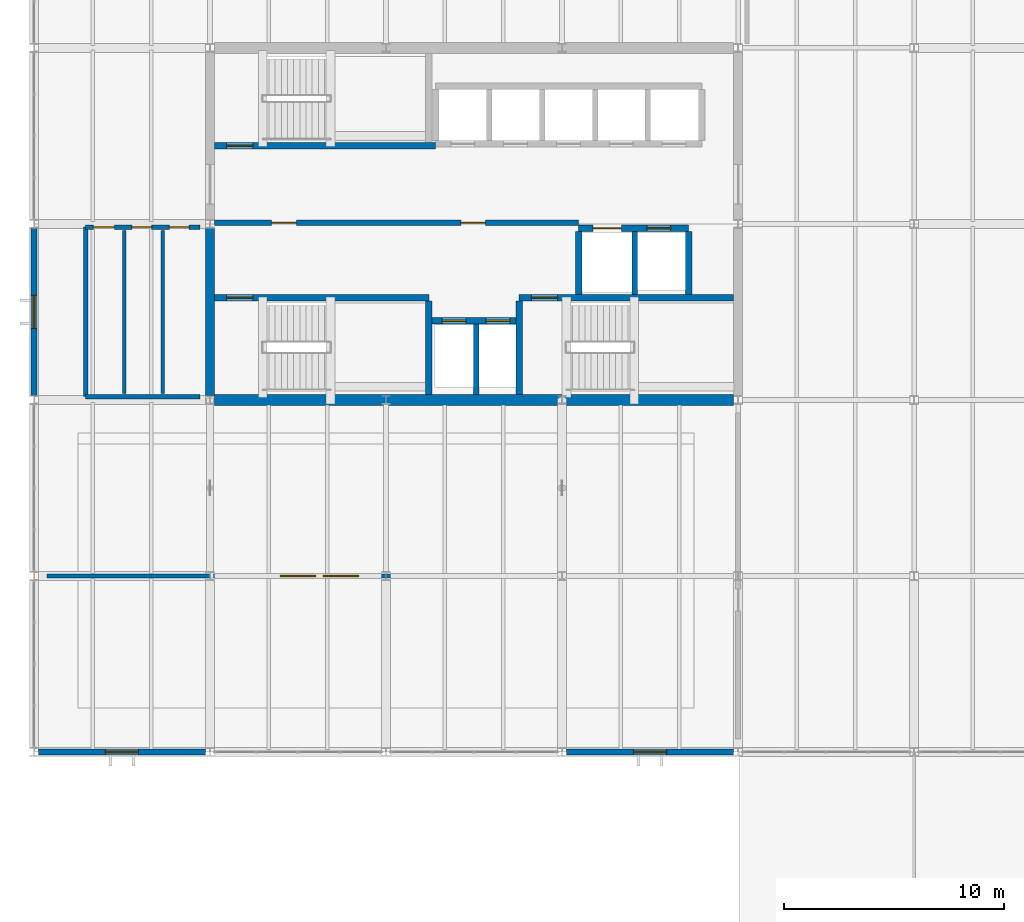
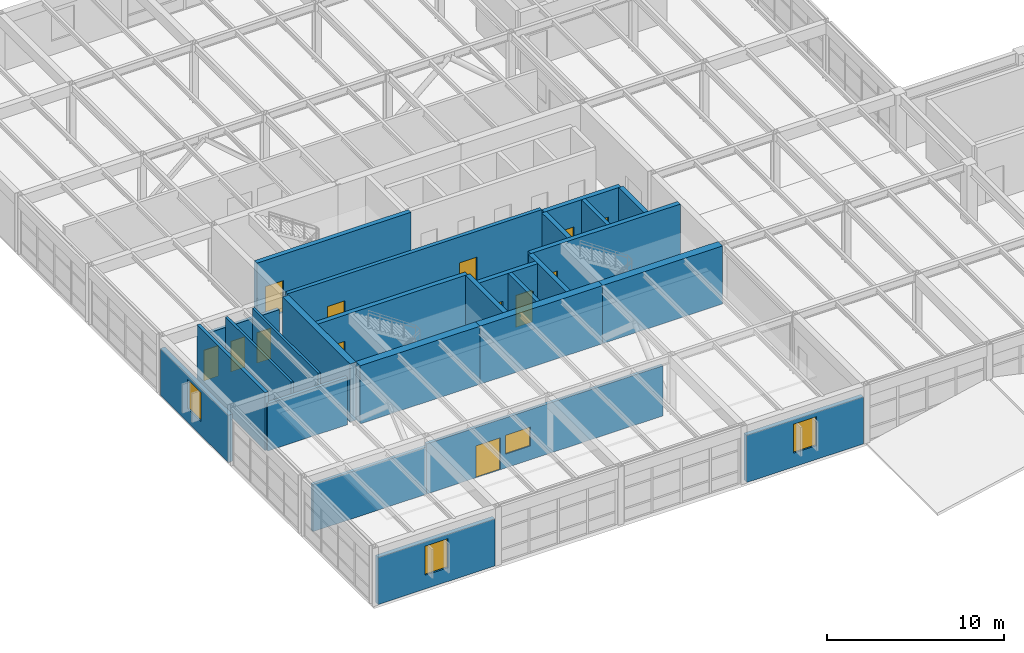
# One storey, part 37 of 48: 26 walls, 13 doors, 4 windows, 17 openings.
"""IFC4 building model written with IfcOpenShell, lengths in metres."""

from ifc_helpers import new_model, si_unit, direction, frame, frame_2d, origin, place, context, subcontext, project, spatial, rectangle, extrude, material, layer, layer_set, type_object, element, fill, save


model = new_model("IFC4")

# Units and contexts
model_context = context("Model", 3, precision=1e-05, world=origin(), true_north=direction((0.0, 1.0)))
body_context = subcontext(model_context, "Body", "Model", "MODEL_VIEW")
ifc_project = project(units=[si_unit("LENGTHUNIT", "METRE"), si_unit("AREAUNIT", "SQUARE_METRE"), si_unit("VOLUMEUNIT", "CUBIC_METRE"), si_unit("PLANEANGLEUNIT", "RADIAN"), si_unit("MASSUNIT", "GRAM", prefix="KILO")], contexts=[model_context])

# Site, building, storey
site_placement = place(None, origin())
site = spatial("IfcSite", under=ifc_project, at=site_placement, CompositionType="ELEMENT")
building_placement = place(site_placement, origin())
building = spatial("IfcBuilding", under=site, at=building_placement, Name="Varnela Railside Interchange", CompositionType="ELEMENT")
storey_placement = place(building_placement, frame((0.0, 0.0, 11.199951171875)))
storey = spatial("IfcBuildingStorey", under=building, at=storey_placement, Name="L02", CompositionType="ELEMENT", Elevation=11.199951171875)

# Walls
ifc_material_1 = material(Name="Gypsum acoustic board")
ifc_layer_1 = layer(ifc_material_1, 0.14990234375)
ifc_layer_set_1 = layer_set([ifc_layer_1], Name="Gypsum acoustic board")
wall_type_1 = type_object("IfcWallType", Name="Acoustic Drywall Partition IW-01", PredefinedType="PARTITIONING", material=ifc_layer_set_1)
for number, where, z_axis, x_axis, name in (
    (1, (8.10009765625, 54.300048828125, 0.0), (0.0, 0.0, 1.0), (0.0, 1.0, 0.0), "Acoustic Drywall Partition IW-01 (L02) (WL-0709)"),
    (2, (9.85009765625, 54.300048828125, 0.0), (0.0, 0.0, 1.0), (0.0, 1.0, 0.0), "Acoustic Drywall Partition IW-01 (L02) (WL-0710)"),
):
    element("IfcWall", number, at=place(storey_placement, frame(where, z_axis=z_axis, x_axis=x_axis)), inside=storey, type_object=wall_type_1, Name=name, PredefinedType="PARTITIONING", context=body_context, shape_type="SweptSolid", body=[
        extrude(rectangle(XDim=7.39990234375, YDim=0.14990234375, at=frame_2d((3.699951171875, 0.0))), origin(), (0.0, 0.0, 1.0), 4.0),
    ])
ifc_material_2 = material(Name="Concrete C50", Category="concrete")
ifc_layer_2 = layer(ifc_material_2, 0.39990234375)
ifc_layer_set_2 = layer_set([ifc_layer_2], Name="Concrete C50")
wall_type_2 = type_object("IfcWallType", Name="Core Coupling Shear Wall SW-02", PredefinedType="SHEAR", material=ifc_layer_set_2)
wall_1_placement = place(storey_placement, frame((12.0, 54.193603515625, 0.0), z_axis=(0.0, 0.0, 1.0), x_axis=(0.0, 1.0, 0.0)))
element("IfcWall", 3, at=wall_1_placement, inside=storey, type_object=wall_type_2, Name="Core Coupling Shear Wall SW-02 (L02) (WL-0654)", PredefinedType="SHEAR", context=body_context, shape_type="SweptSolid", body=[
    extrude(rectangle(XDim=7.61279296875, YDim=0.39990234375, at=frame_2d((3.806396484375, 0.0))), origin(), (0.0, 0.0, 1.0), 4.0),
])
ifc_layer_3 = layer(ifc_material_2, 0.5)
ifc_layer_set_3 = layer_set([ifc_layer_3], Name="Concrete C50")
wall_type_3 = type_object("IfcWallType", Name="Core Primary Shear Wall SW-01", PredefinedType="SHEAR", material=ifc_layer_set_3)
wall_2_placement = place(storey_placement, frame((12.198974609375, 54.0, 0.0), z_axis=(0.0, 0.0, 1.0), x_axis=(1.0, 0.0, 0.0)))
element("IfcWall", 4, at=wall_2_placement, inside=storey, type_object=wall_type_3, Name="Core Primary Shear Wall SW-01 (L02) (WL-0645)", PredefinedType="SHEAR", context=body_context, shape_type="SweptSolid", body=[
    extrude(rectangle(XDim=7.801025390625, YDim=0.5, at=frame_2d((3.900390625, 0.0))), origin(), (0.0, 0.0, 1.0), 4.0),
])
wall_3_placement = place(storey_placement, frame((20.0, 54.0, 0.0), z_axis=(0.0, 0.0, 1.0), x_axis=(1.0, 0.0, 0.0)))
element("IfcWall", 5, at=wall_3_placement, inside=storey, type_object=wall_type_3, Name="Core Primary Shear Wall SW-01 (L02) (WL-0646)", PredefinedType="SHEAR", context=body_context, shape_type="SweptSolid", body=[
    extrude(rectangle(XDim=8.0, YDim=0.5, at=frame_2d((4.0, 0.0))), origin(), (0.0, 0.0, 1.0), 4.0),
])
wall_4_placement = place(storey_placement, frame((28.0, 54.0, 0.0), z_axis=(0.0, 0.0, 1.0), x_axis=(1.0, 0.0, 0.0)))
element("IfcWall", 6, at=wall_4_placement, inside=storey, type_object=wall_type_3, Name="Core Primary Shear Wall SW-01 (L02) (WL-0647)", PredefinedType="SHEAR", context=body_context, shape_type="SweptSolid", body=[
    extrude(rectangle(XDim=7.801025390625, YDim=0.5, at=frame_2d((3.900390625, 0.0))), origin(), (0.0, 0.0, 1.0), 4.0),
])
ifc_layer_4 = layer(ifc_material_1, 0.179931640625)
ifc_layer_set_4 = layer_set([ifc_layer_4], Name="Gypsum acoustic board")
wall_type_4 = type_object("IfcWallType", Name="Double-Stud Corridor Wall IW-02", PredefinedType="PARTITIONING", material=ifc_layer_set_4)
wall_5_placement = place(storey_placement, frame((4.60009765625, 46.0, 0.0), z_axis=(0.0, 0.0, 1.0), x_axis=(1.0, 0.0, 0.0)))
element("IfcWall", 7, at=wall_5_placement, inside=storey, type_object=wall_type_4, Name="Double-Stud Corridor Wall IW-02 (L02) (WL-0696)", PredefinedType="PARTITIONING", context=body_context, shape_type="SweptSolid", body=[
    extrude(rectangle(XDim=7.39990234375, YDim=0.199951171875, at=frame_2d((3.699951171875, 0.0))), origin(), (0.0, 0.0, 1.0), 3.25),
])

# Wall, openings, door, window
wall_6_placement = place(storey_placement, frame((12.0, 46.0, 0.0), z_axis=(0.0, 0.0, 1.0), x_axis=(1.0, 0.0, 0.0)))
wall_6 = element("IfcWall", 8, at=wall_6_placement, inside=storey, type_object=wall_type_4, Name="Double-Stud Corridor Wall IW-02 (L02) (WL-0697)", PredefinedType="PARTITIONING", context=body_context, shape_type="SweptSolid", body=[
    extrude(rectangle(XDim=15.39990234375, YDim=0.199951171875, at=frame_2d((7.699951171875, 0.0))), origin(), (0.0, 0.0, 1.0), 3.4560546875),
])
opening_1_placement = place(wall_6_placement, frame((3.199951171875, 0.0, 0.0)))
opening_1 = element("IfcOpeningElement", 9, at=opening_1_placement, cuts=wall_6, Name="Opening D-232", PredefinedType="OPENING", context=body_context, shape_type="SweptSolid", body=[
    extrude(rectangle(XDim=1.60009765625, YDim=2.199951171875, at=frame_2d((0.800048828125, 1.10009765625))), frame((0.0, 0.10986328125, 0.0), z_axis=(0.0, -1.0, 0.0), x_axis=(1.0, 0.0, 0.0)), (0.0, 0.0, 1.0), 0.219970703125),
])
opening_2_placement = place(wall_6_placement, frame((5.14990234375, 0.0, 0.949951171875)))
opening_2 = element("IfcOpeningElement", 10, at=opening_2_placement, cuts=wall_6, Name="Opening IW-012", PredefinedType="OPENING", context=body_context, shape_type="SweptSolid", body=[
    extrude(rectangle(XDim=1.60009765625, YDim=1.300048828125, at=frame_2d((0.800048828125, 0.64990234375))), frame((0.0, 0.10986328125, 0.0), z_axis=(0.0, -1.0, 0.0), x_axis=(1.0, 0.0, 0.0)), (0.0, 0.0, 1.0), 0.219970703125),
])
ifc_material_3 = material(Name="Glass laminated double", Category="glass")
door_type_1 = type_object("IfcDoorType", Name="DR-DBL-1600", OperationType="DOUBLE_DOOR_SINGLE_SWING", PredefinedType="DOOR", material=ifc_material_3)
door_1_placement = place(opening_1_placement, origin())
door_1 = element("IfcDoor", 11, at=door_1_placement, inside=storey, type_object=door_type_1, Name="Door D-232", OperationType="DOUBLE_DOOR_SINGLE_SWING", OverallHeight=2.199951171875, OverallWidth=1.60009765625, PredefinedType="DOOR", context=body_context, shape_type="SweptSolid", body=[
    extrude(rectangle(XDim=1.60009765625, YDim=2.199951171875, at=frame_2d((0.800048828125, 1.10009765625))), frame((0.0, 0.02490234375, 0.0), z_axis=(0.0, -1.0, 0.0), x_axis=(1.0, 0.0, 0.0)), (0.0, 0.0, 1.0), 0.050048828125),
])
fill(opening_1, door_1)
window_type_1 = type_object("IfcWindowType", Name="Interior Acoustic Vision Window IW-WN1", PartitioningType="SINGLE_PANEL", PredefinedType="WINDOW", material=ifc_material_3)
window_1_placement = place(opening_2_placement, origin())
window_1 = element("IfcWindow", 12, at=window_1_placement, inside=storey, type_object=window_type_1, Name="Window IW-012", OverallHeight=1.300048828125, OverallWidth=1.60009765625, PartitioningType="SINGLE_PANEL", PredefinedType="WINDOW", context=body_context, shape_type="SweptSolid", body=[
    extrude(rectangle(XDim=1.60009765625, YDim=1.300048828125, at=frame_2d((0.800048828125, 0.64990234375))), frame((0.0, 0.030029296875, 0.0), z_axis=(0.0, -1.0, 0.0), x_axis=(1.0, 0.0, 0.0)), (0.0, 0.0, 1.0), 0.06005859375),
])
fill(opening_2, window_1)

# Wall, opening, window
ifc_material_4 = material(Name="Concrete C40 precast", Category="concrete")
ifc_layer_5 = layer(ifc_material_4, 0.280029296875)
ifc_layer_set_5 = layer_set([ifc_layer_5], Name="Concrete C40 precast")
wall_type_5 = type_object("IfcWallType", Name="Ribbed Precast Concrete Facade Wall EW-02", PredefinedType="STANDARD", material=ifc_layer_set_5)
wall_7_placement = place(storey_placement, frame((35.802978515625, 38.0, 0.0), z_axis=(0.0, 0.0, 1.0), x_axis=(-1.0, 0.0, 0.0)))
wall_7 = element("IfcWall", 13, at=wall_7_placement, inside=storey, type_object=wall_type_5, Name="Ribbed Precast Concrete Facade Wall EW-02 (L02) (WL-0689)", PredefinedType="STANDARD", context=body_context, shape_type="SweptSolid", body=[
    extrude(rectangle(XDim=7.60595703125, YDim=0.280029296875, at=frame_2d((3.802978515625, 0.0))), origin(), (0.0, 0.0, 1.0), 3.25),
])
opening_3_placement = place(wall_7_placement, frame((3.052978515625, 0.0, 0.949951171875)))
opening_3 = element("IfcOpeningElement", 14, at=opening_3_placement, cuts=wall_7, Name="Opening W-095", PredefinedType="OPENING", context=body_context, shape_type="SweptSolid", body=[
    extrude(rectangle(XDim=1.5, YDim=2.0, at=frame_2d((0.75, 1.0))), frame((0.0, 0.14990234375, 0.0), z_axis=(0.0, -1.0, 0.0), x_axis=(1.0, 0.0, 0.0)), (0.0, 0.0, 1.0), 0.300048828125),
])
window_type_2 = type_object("IfcWindowType", Name="Operations Modular Window WN-04", PartitioningType="SINGLE_PANEL", PredefinedType="WINDOW", material=ifc_material_3)
window_2_placement = place(opening_3_placement, origin())
window_2 = element("IfcWindow", 15, at=window_2_placement, inside=storey, type_object=window_type_2, Name="Window W-095", OverallHeight=2.0, OverallWidth=1.5, PartitioningType="SINGLE_PANEL", PredefinedType="WINDOW", context=body_context, shape_type="SweptSolid", body=[
    extrude(rectangle(XDim=1.5, YDim=2.0, at=frame_2d((0.75, 1.0))), frame((0.0, 0.030029296875, 0.0), z_axis=(0.0, -1.0, 0.0), x_axis=(1.0, 0.0, 0.0)), (0.0, 0.0, 1.0), 0.06005859375),
])
fill(opening_3, window_2)

wall_8_placement = place(storey_placement, frame((11.802978515625, 38.0, 0.0), z_axis=(0.0, 0.0, 1.0), x_axis=(-1.0, 0.0, 0.0)))
wall_8 = element("IfcWall", 16, at=wall_8_placement, inside=storey, type_object=wall_type_5, Name="Ribbed Precast Concrete Facade Wall EW-02 (L02) (WL-0690)", PredefinedType="STANDARD", context=body_context, shape_type="SweptSolid", body=[
    extrude(rectangle(XDim=7.60595703125, YDim=0.280029296875, at=frame_2d((3.802978515625, 0.0))), origin(), (0.0, 0.0, 1.0), 3.25),
])
opening_4_placement = place(wall_8_placement, frame((3.052978515625, 0.0, 0.949951171875)))
opening_4 = element("IfcOpeningElement", 17, at=opening_4_placement, cuts=wall_8, Name="Opening W-096", PredefinedType="OPENING", context=body_context, shape_type="SweptSolid", body=[
    extrude(rectangle(XDim=1.5, YDim=2.0, at=frame_2d((0.75, 1.0))), frame((0.0, 0.14990234375, 0.0), z_axis=(0.0, -1.0, 0.0), x_axis=(1.0, 0.0, 0.0)), (0.0, 0.0, 1.0), 0.300048828125),
])
window_3_placement = place(opening_4_placement, origin())
window_3 = element("IfcWindow", 18, at=window_3_placement, inside=storey, type_object=window_type_2, Name="Window W-096", OverallHeight=2.0, OverallWidth=1.5, PartitioningType="SINGLE_PANEL", PredefinedType="WINDOW", context=body_context, shape_type="SweptSolid", body=[
    extrude(rectangle(XDim=1.5, YDim=2.0, at=frame_2d((0.75, 1.0))), frame((0.0, 0.030029296875, 0.0), z_axis=(0.0, -1.0, 0.0), x_axis=(1.0, 0.0, 0.0)), (0.0, 0.0, 1.0), 0.06005859375),
])
fill(opening_4, window_3)

wall_9_placement = place(storey_placement, frame((4.0, 54.1875, 0.0), z_axis=(0.0, 0.0, 1.0), x_axis=(0.0, 1.0, 0.0)))
wall_9 = element("IfcWall", 19, at=wall_9_placement, inside=storey, type_object=wall_type_5, Name="Ribbed Precast Concrete Facade Wall EW-02 (L02) (WL-0691)", PredefinedType="STANDARD", context=body_context, shape_type="SweptSolid", body=[
    extrude(rectangle(XDim=7.625, YDim=0.280029296875, at=frame_2d((3.8125, 0.0))), origin(), (0.0, 0.0, 1.0), 3.25),
])
opening_5_placement = place(wall_9_placement, frame((3.0625, 0.0, 0.949951171875)))
opening_5 = element("IfcOpeningElement", 20, at=opening_5_placement, cuts=wall_9, Name="Opening W-097", PredefinedType="OPENING", context=body_context, shape_type="SweptSolid", body=[
    extrude(rectangle(XDim=1.5, YDim=2.0, at=frame_2d((0.75, 1.0))), frame((0.0, 0.14990234375, 0.0), z_axis=(0.0, -1.0, 0.0), x_axis=(1.0, 0.0, 0.0)), (0.0, 0.0, 1.0), 0.300048828125),
])
window_4_placement = place(opening_5_placement, origin())
window_4 = element("IfcWindow", 21, at=window_4_placement, inside=storey, type_object=window_type_2, Name="Window W-097", OverallHeight=2.0, OverallWidth=1.5, PartitioningType="SINGLE_PANEL", PredefinedType="WINDOW", context=body_context, shape_type="SweptSolid", body=[
    extrude(rectangle(XDim=1.5, YDim=2.0, at=frame_2d((0.75, 1.0))), frame((0.0, 0.030029296875, 0.0), z_axis=(0.0, -1.0, 0.0), x_axis=(1.0, 0.0, 0.0)), (0.0, 0.0, 1.0), 0.06005859375),
])
fill(opening_5, window_4)

# Wall, openings, doors
ifc_material_5 = material(Name="Masonry concrete block", Category="masonry")
ifc_layer_6 = layer(ifc_material_5, 0.2099609375)
ifc_layer_set_6 = layer_set([ifc_layer_6], Name="Masonry concrete block")
wall_type_6 = type_object("IfcWallType", Name="Sanitary Plumbing Chase Wall IW-04", PredefinedType="PLUMBINGWALL", material=ifc_layer_set_6)
wall_10_placement = place(storey_placement, frame((6.35009765625, 61.85009765625, 0.0), z_axis=(0.0, 0.0, 1.0), x_axis=(1.0, 0.0, 0.0)))
wall_10 = element("IfcWall", 22, at=wall_10_placement, inside=storey, type_object=wall_type_6, Name="Sanitary Plumbing Chase Wall IW-04 (L02) (WL-0711)", PredefinedType="PLUMBINGWALL", context=body_context, shape_type="SweptSolid", body=[
    extrude(rectangle(XDim=5.199951171875, YDim=0.2099609375, at=frame_2d((2.60009765625, 0.0))), origin(), (0.0, 0.0, 1.0), 3.25),
])
opening_6_placement = place(wall_10_placement, frame((0.35009765625, 0.0, 0.0)))
opening_6 = element("IfcOpeningElement", 23, at=opening_6_placement, cuts=wall_10, Name="Opening D-224", PredefinedType="OPENING", context=body_context, shape_type="SweptSolid", body=[
    extrude(rectangle(XDim=0.949951171875, YDim=2.10009765625, at=frame_2d((0.47509765625, 1.050048828125))), frame((0.0, 0.114990234375, 0.0), z_axis=(0.0, -1.0, 0.0), x_axis=(1.0, 0.0, 0.0)), (0.0, 0.0, 1.0), 0.22998046875),
])
opening_7_placement = place(wall_10_placement, frame((2.10009765625, 0.0, 0.0)))
opening_7 = element("IfcOpeningElement", 24, at=opening_7_placement, cuts=wall_10, Name="Opening D-225", PredefinedType="OPENING", context=body_context, shape_type="SweptSolid", body=[
    extrude(rectangle(XDim=0.89990234375, YDim=2.10009765625, at=frame_2d((0.449951171875, 1.050048828125))), frame((0.0, 0.114990234375, 0.0), z_axis=(0.0, -1.0, 0.0), x_axis=(1.0, 0.0, 0.0)), (0.0, 0.0, 1.0), 0.22998046875),
])
opening_8_placement = place(wall_10_placement, frame((3.800048828125, 0.0, 0.0)))
opening_8 = element("IfcOpeningElement", 25, at=opening_8_placement, cuts=wall_10, Name="Opening D-226", PredefinedType="OPENING", context=body_context, shape_type="SweptSolid", body=[
    extrude(rectangle(XDim=0.89990234375, YDim=2.10009765625, at=frame_2d((0.449951171875, 1.050048828125))), frame((0.0, 0.114990234375, 0.0), z_axis=(0.0, -1.0, 0.0), x_axis=(1.0, 0.0, 0.0)), (0.0, 0.0, 1.0), 0.22998046875),
])
ifc_material_6 = material(Name="Timber solid core", Category="wood")
door_type_2 = type_object("IfcDoorType", Name="DR-SGL-900", OperationType="NOTDEFINED", PredefinedType="DOOR", material=ifc_material_6)
door_2_placement = place(opening_7_placement, origin())
door_2 = element("IfcDoor", 26, at=door_2_placement, inside=storey, type_object=door_type_2, Name="Door D-225", OperationType="SINGLE_SWING_RIGHT", OverallHeight=2.10009765625, OverallWidth=0.89990234375, PredefinedType="DOOR", context=body_context, shape_type="SweptSolid", body=[
    extrude(rectangle(XDim=0.89990234375, YDim=2.10009765625, at=frame_2d((0.449951171875, 1.050048828125))), frame((0.0, 0.02490234375, 0.0), z_axis=(0.0, -1.0, 0.0), x_axis=(1.0, 0.0, 0.0)), (0.0, 0.0, 1.0), 0.050048828125),
])
fill(opening_7, door_2)
door_3_placement = place(opening_8_placement, origin())
door_3 = element("IfcDoor", 27, at=door_3_placement, inside=storey, type_object=door_type_2, Name="Door D-226", OperationType="SINGLE_SWING_LEFT", OverallHeight=2.10009765625, OverallWidth=0.89990234375, PredefinedType="DOOR", context=body_context, shape_type="SweptSolid", body=[
    extrude(rectangle(XDim=0.89990234375, YDim=2.10009765625, at=frame_2d((0.449951171875, 1.050048828125))), frame((0.0, 0.02490234375, 0.0), z_axis=(0.0, -1.0, 0.0), x_axis=(1.0, 0.0, 0.0)), (0.0, 0.0, 1.0), 0.050048828125),
])
fill(opening_8, door_3)
door_type_3 = type_object("IfcDoorType", Name="DR-SGL-950-ACC", OperationType="NOTDEFINED", PredefinedType="DOOR", material=ifc_material_6)
door_4_placement = place(opening_6_placement, origin())
door_4 = element("IfcDoor", 28, at=door_4_placement, inside=storey, type_object=door_type_3, Name="Door D-224", OperationType="SINGLE_SWING_LEFT", OverallHeight=2.10009765625, OverallWidth=0.949951171875, PredefinedType="DOOR", context=body_context, shape_type="SweptSolid", body=[
    extrude(rectangle(XDim=0.949951171875, YDim=2.10009765625, at=frame_2d((0.47509765625, 1.050048828125))), frame((0.0, 0.02490234375, 0.0), z_axis=(0.0, -1.0, 0.0), x_axis=(1.0, 0.0, 0.0)), (0.0, 0.0, 1.0), 0.050048828125),
])
fill(opening_6, door_4)

# Walls
wall_11_placement = place(storey_placement, frame((6.35009765625, 54.14990234375, 0.0), z_axis=(0.0, 0.0, 1.0), x_axis=(1.0, 0.0, 0.0)))
element("IfcWall", 29, at=wall_11_placement, inside=storey, type_object=wall_type_6, Name="Sanitary Plumbing Chase Wall IW-04 (L02) (WL-0712)", PredefinedType="PLUMBINGWALL", context=body_context, shape_type="SweptSolid", body=[
    extrude(rectangle(XDim=5.199951171875, YDim=0.2099609375, at=frame_2d((2.60009765625, 0.0))), origin(), (0.0, 0.0, 1.0), 3.25),
])
wall_12_placement = place(storey_placement, frame((6.35009765625, 54.14990234375, 0.0), z_axis=(0.0, 0.0, 1.0), x_axis=(0.0, 1.0, 0.0)))
element("IfcWall", 30, at=wall_12_placement, inside=storey, type_object=wall_type_6, Name="Sanitary Plumbing Chase Wall IW-04 (L02) (WL-0713)", PredefinedType="PLUMBINGWALL", context=body_context, shape_type="SweptSolid", body=[
    extrude(rectangle(XDim=7.7001953125, YDim=0.2099609375, at=frame_2d((3.85009765625, 0.0))), origin(), (0.0, 0.0, 1.0), 4.0),
])

# Wall, opening, door
ifc_layer_7 = layer(ifc_material_2, 0.300048828125)
ifc_layer_set_7 = layer_set([ifc_layer_7], Name="Concrete C50")
wall_type_7 = type_object("IfcWallType", Name="Stair & Lift Shaft Wall SW-03", PredefinedType="SHEAR", material=ifc_layer_set_7)
wall_13_placement = place(storey_placement, frame((12.199951171875, 58.64990234375, 0.0), z_axis=(0.0, 0.0, 1.0), x_axis=(1.0, 0.0, 0.0)))
wall_13 = element("IfcWall", 31, at=wall_13_placement, inside=storey, type_object=wall_type_7, Name="Stair & Lift Shaft Wall SW-03 (L02) (WL-0649)", PredefinedType="SHEAR", context=body_context, shape_type="SweptSolid", body=[
    extrude(rectangle(XDim=9.75, YDim=0.300048828125, at=frame_2d((4.875, 0.0))), origin(), (0.0, 0.0, 1.0), 4.0),
])
opening_9_placement = place(wall_13_placement, frame((0.550048828125, 0.0, 0.0)))
opening_9 = element("IfcOpeningElement", 32, at=opening_9_placement, cuts=wall_13, Name="Opening D-209", PredefinedType="OPENING", context=body_context, shape_type="SweptSolid", body=[
    extrude(rectangle(XDim=1.199951171875, YDim=2.199951171875, at=frame_2d((0.60009765625, 1.10009765625))), frame((0.0, 0.159912109375, 0.0), z_axis=(0.0, -1.0, 0.0), x_axis=(1.0, 0.0, 0.0)), (0.0, 0.0, 1.0), 0.320068359375),
])
ifc_material_7 = material(Name="Steel AR 350 (350 MPa)", Category="steel")
door_type_4 = type_object("IfcDoorType", Name="DR-SGL-1200-FD90", OperationType="NOTDEFINED", PredefinedType="DOOR", material=ifc_material_7)
door_5_placement = place(opening_9_placement, frame((1.199951171875, 0.0, 0.0), z_axis=(0.0, 0.0, 1.0), x_axis=(-1.0, 0.0, 0.0)))
door_5 = element("IfcDoor", 33, at=door_5_placement, inside=storey, type_object=door_type_4, Name="Door D-209", OperationType="SINGLE_SWING_RIGHT", OverallHeight=2.199951171875, OverallWidth=1.199951171875, PredefinedType="DOOR", context=body_context, shape_type="SweptSolid", body=[
    extrude(rectangle(XDim=1.199951171875, YDim=2.199951171875, at=frame_2d((0.60009765625, 1.10009765625))), frame((0.0, 0.02490234375, 0.0), z_axis=(0.0, -1.0, 0.0), x_axis=(1.0, 0.0, 0.0)), (0.0, 0.0, 1.0), 0.050048828125),
])
fill(opening_9, door_5)

# Wall
wall_14_placement = place(storey_placement, frame((21.949951171875, 54.25, 0.0), z_axis=(0.0, 0.0, 1.0), x_axis=(0.0, 1.0, 0.0)))
element("IfcWall", 34, at=wall_14_placement, inside=storey, type_object=wall_type_7, Name="Stair & Lift Shaft Wall SW-03 (L02) (WL-0648)", PredefinedType="SHEAR", context=body_context, shape_type="SweptSolid", body=[
    extrude(rectangle(XDim=4.25, YDim=0.300048828125, at=frame_2d((2.125, 0.0))), origin(), (0.0, 0.0, 1.0), 4.0),
])

# Wall, opening, door
wall_15_placement = place(storey_placement, frame((26.050048828125, 58.64990234375, 0.0), z_axis=(0.0, 0.0, 1.0), x_axis=(1.0, 0.0, 0.0)))
wall_15 = element("IfcWall", 35, at=wall_15_placement, inside=storey, type_object=wall_type_7, Name="Stair & Lift Shaft Wall SW-03 (L02) (WL-0650)", PredefinedType="SHEAR", context=body_context, shape_type="SweptSolid", body=[
    extrude(rectangle(XDim=9.75, YDim=0.300048828125, at=frame_2d((4.875, 0.0))), origin(), (0.0, 0.0, 1.0), 4.0),
])
opening_10_placement = place(wall_15_placement, frame((0.550048828125, 0.0, 0.0)))
opening_10 = element("IfcOpeningElement", 36, at=opening_10_placement, cuts=wall_15, Name="Opening D-210", PredefinedType="OPENING", context=body_context, shape_type="SweptSolid", body=[
    extrude(rectangle(XDim=1.199951171875, YDim=2.199951171875, at=frame_2d((0.60009765625, 1.10009765625))), frame((0.0, 0.159912109375, 0.0), z_axis=(0.0, -1.0, 0.0), x_axis=(1.0, 0.0, 0.0)), (0.0, 0.0, 1.0), 0.320068359375),
])
door_6_placement = place(opening_10_placement, frame((1.199951171875, 0.0, 0.0), z_axis=(0.0, 0.0, 1.0), x_axis=(-1.0, 0.0, 0.0)))
door_6 = element("IfcDoor", 37, at=door_6_placement, inside=storey, type_object=door_type_4, Name="Door D-210", OperationType="SINGLE_SWING_LEFT", OverallHeight=2.199951171875, OverallWidth=1.199951171875, PredefinedType="DOOR", context=body_context, shape_type="SweptSolid", body=[
    extrude(rectangle(XDim=1.199951171875, YDim=2.199951171875, at=frame_2d((0.60009765625, 1.10009765625))), frame((0.0, 0.02490234375, 0.0), z_axis=(0.0, -1.0, 0.0), x_axis=(1.0, 0.0, 0.0)), (0.0, 0.0, 1.0), 0.050048828125),
])
fill(opening_10, door_6)

# Wall
wall_16_placement = place(storey_placement, frame((26.050048828125, 54.25, 0.0), z_axis=(0.0, 0.0, 1.0), x_axis=(0.0, 1.0, 0.0)))
element("IfcWall", 38, at=wall_16_placement, inside=storey, type_object=wall_type_7, Name="Stair & Lift Shaft Wall SW-03 (L02) (WL-0651)", PredefinedType="SHEAR", context=body_context, shape_type="SweptSolid", body=[
    extrude(rectangle(XDim=4.25, YDim=0.300048828125, at=frame_2d((2.125, 0.0))), origin(), (0.0, 0.0, 1.0), 4.0),
])

# Wall, openings, doors
wall_17_placement = place(storey_placement, frame((22.10009765625, 57.60009765625, 0.0), z_axis=(0.0, 0.0, 1.0), x_axis=(1.0, 0.0, 0.0)))
wall_17 = element("IfcWall", 39, at=wall_17_placement, inside=storey, type_object=wall_type_7, Name="Stair & Lift Shaft Wall SW-03 (L02) (WL-0629)", PredefinedType="SHEAR", context=body_context, shape_type="SweptSolid", body=[
    extrude(rectangle(XDim=3.949951171875, YDim=0.300048828125, at=frame_2d((1.97509765625, 0.0))), origin(), (0.0, 0.0, 1.0), 4.0),
])
opening_11_placement = place(wall_17_placement, frame((0.449951171875, 0.0, 0.0)))
opening_11 = element("IfcOpeningElement", 40, at=opening_11_placement, cuts=wall_17, Name="Opening LD-043", PredefinedType="OPENING", context=body_context, shape_type="SweptSolid", body=[
    extrude(rectangle(XDim=1.080078125, YDim=2.199951171875, at=frame_2d((0.5400390625, 1.10009765625))), frame((0.0, 0.159912109375, 0.0), z_axis=(0.0, -1.0, 0.0), x_axis=(1.0, 0.0, 0.0)), (0.0, 0.0, 1.0), 0.320068359375),
])
opening_12_placement = place(wall_17_placement, frame((2.449951171875, 0.0, 0.0)))
opening_12 = element("IfcOpeningElement", 41, at=opening_12_placement, cuts=wall_17, Name="Opening LD-044", PredefinedType="OPENING", context=body_context, shape_type="SweptSolid", body=[
    extrude(rectangle(XDim=1.080078125, YDim=2.199951171875, at=frame_2d((0.5400390625, 1.10009765625))), frame((0.0, 0.159912109375, 0.0), z_axis=(0.0, -1.0, 0.0), x_axis=(1.0, 0.0, 0.0)), (0.0, 0.0, 1.0), 0.320068359375),
])
door_type_5 = type_object("IfcDoorType", Name="DR-LIFT-1080", OperationType="SLIDING_TO_LEFT", PredefinedType="DOOR", material=ifc_material_7)
door_7_placement = place(opening_11_placement, origin())
door_7 = element("IfcDoor", 42, at=door_7_placement, inside=storey, type_object=door_type_5, Name="Door LD-043", OperationType="SLIDING_TO_LEFT", OverallHeight=2.199951171875, OverallWidth=1.080078125, PredefinedType="DOOR", context=body_context, shape_type="SweptSolid", body=[
    extrude(rectangle(XDim=1.080078125, YDim=2.199951171875, at=frame_2d((0.5400390625, 1.10009765625))), frame((0.0, 0.02490234375, 0.0), z_axis=(0.0, -1.0, 0.0), x_axis=(1.0, 0.0, 0.0)), (0.0, 0.0, 1.0), 0.050048828125),
])
fill(opening_11, door_7)
door_8_placement = place(opening_12_placement, origin())
door_8 = element("IfcDoor", 43, at=door_8_placement, inside=storey, type_object=door_type_5, Name="Door LD-044", OperationType="SLIDING_TO_LEFT", OverallHeight=2.199951171875, OverallWidth=1.080078125, PredefinedType="DOOR", context=body_context, shape_type="SweptSolid", body=[
    extrude(rectangle(XDim=1.080078125, YDim=2.199951171875, at=frame_2d((0.5400390625, 1.10009765625))), frame((0.0, 0.02490234375, 0.0), z_axis=(0.0, -1.0, 0.0), x_axis=(1.0, 0.0, 0.0)), (0.0, 0.0, 1.0), 0.050048828125),
])
fill(opening_12, door_8)

# Wall
wall_18_placement = place(storey_placement, frame((24.10009765625, 54.25, 0.0), z_axis=(0.0, 0.0, 1.0), x_axis=(0.0, 1.0, 0.0)))
element("IfcWall", 44, at=wall_18_placement, inside=storey, type_object=wall_type_7, Name="Stair & Lift Shaft Wall SW-03 (L02) (WL-0628)", PredefinedType="SHEAR", context=body_context, shape_type="SweptSolid", body=[
    extrude(rectangle(XDim=3.199951171875, YDim=0.25, at=frame_2d((1.60009765625, 0.0))), origin(), (0.0, 0.0, 1.0), 4.0),
])

# Wall, openings, doors
wall_19_placement = place(storey_placement, frame((28.75, 61.800048828125, 0.0), z_axis=(0.0, 0.0, 1.0), x_axis=(1.0, 0.0, 0.0)))
wall_19 = element("IfcWall", 45, at=wall_19_placement, inside=storey, type_object=wall_type_7, Name="Stair & Lift Shaft Wall SW-03 (L02) (WL-0632)", PredefinedType="SHEAR", context=body_context, shape_type="SweptSolid", body=[
    extrude(rectangle(XDim=5.0, YDim=0.300048828125, at=frame_2d((2.5, 0.0))), origin(), (0.0, 0.0, 1.0), 4.0),
])
opening_13_placement = place(wall_19_placement, frame((0.64990234375, 0.0, 0.0)))
opening_13 = element("IfcOpeningElement", 46, at=opening_13_placement, cuts=wall_19, Name="Opening LD-045", PredefinedType="OPENING", context=body_context, shape_type="SweptSolid", body=[
    extrude(rectangle(XDim=1.300048828125, YDim=2.300048828125, at=frame_2d((0.64990234375, 1.14990234375))), frame((0.0, 0.159912109375, 0.0), z_axis=(0.0, -1.0, 0.0), x_axis=(1.0, 0.0, 0.0)), (0.0, 0.0, 1.0), 0.320068359375),
])
opening_14_placement = place(wall_19_placement, frame((3.10009765625, 0.0, 0.0)))
opening_14 = element("IfcOpeningElement", 47, at=opening_14_placement, cuts=wall_19, Name="Opening LD-046", PredefinedType="OPENING", context=body_context, shape_type="SweptSolid", body=[
    extrude(rectangle(XDim=1.080078125, YDim=2.199951171875, at=frame_2d((0.5400390625, 1.10009765625))), frame((0.0, 0.159912109375, 0.0), z_axis=(0.0, -1.0, 0.0), x_axis=(1.0, 0.0, 0.0)), (0.0, 0.0, 1.0), 0.320068359375),
])
door_9_placement = place(opening_14_placement, origin())
door_9 = element("IfcDoor", 48, at=door_9_placement, inside=storey, type_object=door_type_5, Name="Door LD-046", OperationType="SLIDING_TO_LEFT", OverallHeight=2.199951171875, OverallWidth=1.080078125, PredefinedType="DOOR", context=body_context, shape_type="SweptSolid", body=[
    extrude(rectangle(XDim=1.080078125, YDim=2.199951171875, at=frame_2d((0.5400390625, 1.10009765625))), frame((0.0, 0.02490234375, 0.0), z_axis=(0.0, -1.0, 0.0), x_axis=(1.0, 0.0, 0.0)), (0.0, 0.0, 1.0), 0.050048828125),
])
fill(opening_14, door_9)
door_type_6 = type_object("IfcDoorType", Name="DR-LIFT-1300", OperationType="SLIDING_TO_LEFT", PredefinedType="DOOR", material=ifc_material_7)
door_10_placement = place(opening_13_placement, origin())
door_10 = element("IfcDoor", 49, at=door_10_placement, inside=storey, type_object=door_type_6, Name="Door LD-045", OperationType="SLIDING_TO_LEFT", OverallHeight=2.300048828125, OverallWidth=1.300048828125, PredefinedType="DOOR", context=body_context, shape_type="SweptSolid", body=[
    extrude(rectangle(XDim=1.300048828125, YDim=2.300048828125, at=frame_2d((0.64990234375, 1.14990234375))), frame((0.0, 0.02490234375, 0.0), z_axis=(0.0, -1.0, 0.0), x_axis=(1.0, 0.0, 0.0)), (0.0, 0.0, 1.0), 0.050048828125),
])
fill(opening_13, door_10)

# Walls
for number, where, z_axis, x_axis, name in (
    (50, (28.75, 58.800048828125, 0.0), (0.0, 0.0, 1.0), (0.0, 1.0, 0.0), "Stair & Lift Shaft Wall SW-03 (L02) (WL-0633)"),
    (51, (33.75, 58.800048828125, 0.0), (0.0, 0.0, 1.0), (0.0, 1.0, 0.0), "Stair & Lift Shaft Wall SW-03 (L02) (WL-0631)"),
):
    element("IfcWall", number, at=place(storey_placement, frame(where, z_axis=z_axis, x_axis=x_axis)), inside=storey, type_object=wall_type_7, Name=name, PredefinedType="SHEAR", context=body_context, shape_type="SweptSolid", body=[
        extrude(rectangle(XDim=2.849853515625, YDim=0.300048828125, at=frame_2d((1.4248046875, 0.0))), origin(), (0.0, 0.0, 1.0), 4.0),
    ])
wall_20_placement = place(storey_placement, frame((31.300048828125, 58.800048828125, 0.0), z_axis=(0.0, 0.0, 1.0), x_axis=(0.0, 1.0, 0.0)))
element("IfcWall", 52, at=wall_20_placement, inside=storey, type_object=wall_type_7, Name="Stair & Lift Shaft Wall SW-03 (L02) (WL-0630)", PredefinedType="SHEAR", context=body_context, shape_type="SweptSolid", body=[
    extrude(rectangle(XDim=2.849853515625, YDim=0.25, at=frame_2d((1.4248046875, 0.0))), origin(), (0.0, 0.0, 1.0), 4.0),
])

# Wall, openings, doors
wall_21_placement = place(storey_placement, frame((12.199951171875, 62.050048828125, 0.0), z_axis=(0.0, 0.0, 1.0), x_axis=(1.0, 0.0, 0.0)))
wall_21 = element("IfcWall", 53, at=wall_21_placement, inside=storey, type_object=wall_type_7, Name="Stair & Lift Shaft Wall SW-03 (L02) (WL-0627)", PredefinedType="SHEAR", context=body_context, shape_type="SweptSolid", body=[
    extrude(rectangle(XDim=16.550048828125, YDim=0.25, at=frame_2d((8.27490234375, 0.0))), origin(), (0.0, 0.0, 1.0), 4.0),
])
opening_15_placement = place(wall_21_placement, frame((2.60009765625, 0.0, 0.0)))
opening_15 = element("IfcOpeningElement", 54, at=opening_15_placement, cuts=wall_21, Name="Opening D-212", PredefinedType="OPENING", context=body_context, shape_type="SweptSolid", body=[
    extrude(rectangle(XDim=1.1201171875, YDim=2.219970703125, at=frame_2d((0.56005859375, 1.10986328125))), frame((0.0, 0.135009765625, 0.0), z_axis=(0.0, -1.0, 0.0), x_axis=(1.0, 0.0, 0.0)), (0.0, 0.0, 1.0), 0.27001953125),
])
opening_16_placement = place(wall_21_placement, frame((11.199951171875, 0.0, 0.0)))
opening_16 = element("IfcOpeningElement", 55, at=opening_16_placement, cuts=wall_21, Name="Opening D-213", PredefinedType="OPENING", context=body_context, shape_type="SweptSolid", body=[
    extrude(rectangle(XDim=1.1201171875, YDim=2.219970703125, at=frame_2d((0.56005859375, 1.10986328125))), frame((0.0, 0.135009765625, 0.0), z_axis=(0.0, -1.0, 0.0), x_axis=(1.0, 0.0, 0.0)), (0.0, 0.0, 1.0), 0.27001953125),
])
door_type_7 = type_object("IfcDoorType", Name="DR-SGL-1120-FD90", OperationType="NOTDEFINED", PredefinedType="DOOR", material=ifc_material_7)
door_11_placement = place(opening_15_placement, frame((1.1201171875, 0.0, 0.0), z_axis=(0.0, 0.0, 1.0), x_axis=(-1.0, 0.0, 0.0)))
door_11 = element("IfcDoor", 56, at=door_11_placement, inside=storey, type_object=door_type_7, Name="Door D-212", OperationType="SINGLE_SWING_LEFT", OverallHeight=2.219970703125, OverallWidth=1.1201171875, PredefinedType="DOOR", context=body_context, shape_type="SweptSolid", body=[
    extrude(rectangle(XDim=1.1201171875, YDim=2.219970703125, at=frame_2d((0.56005859375, 1.10986328125))), frame((0.0, 0.02490234375, 0.0), z_axis=(0.0, -1.0, 0.0), x_axis=(1.0, 0.0, 0.0)), (0.0, 0.0, 1.0), 0.050048828125),
])
fill(opening_15, door_11)
door_12_placement = place(opening_16_placement, frame((1.1201171875, 0.0, 0.0), z_axis=(0.0, 0.0, 1.0), x_axis=(-1.0, 0.0, 0.0)))
door_12 = element("IfcDoor", 57, at=door_12_placement, inside=storey, type_object=door_type_7, Name="Door D-213", OperationType="SINGLE_SWING_RIGHT", OverallHeight=2.219970703125, OverallWidth=1.1201171875, PredefinedType="DOOR", context=body_context, shape_type="SweptSolid", body=[
    extrude(rectangle(XDim=1.1201171875, YDim=2.219970703125, at=frame_2d((0.56005859375, 1.10986328125))), frame((0.0, 0.02490234375, 0.0), z_axis=(0.0, -1.0, 0.0), x_axis=(1.0, 0.0, 0.0)), (0.0, 0.0, 1.0), 0.050048828125),
])
fill(opening_16, door_12)

# Wall, opening, door
wall_22_placement = place(storey_placement, frame((12.199951171875, 65.550048828125, 0.0), z_axis=(0.0, 0.0, 1.0), x_axis=(1.0, 0.0, 0.0)))
wall_22 = element("IfcWall", 58, at=wall_22_placement, inside=storey, type_object=wall_type_7, Name="Stair & Lift Shaft Wall SW-03 (L02) (WL-0653)", PredefinedType="SHEAR", context=body_context, shape_type="SweptSolid", body=[
    extrude(rectangle(XDim=10.050048828125, YDim=0.300048828125, at=frame_2d((5.02490234375, 0.0))), origin(), (0.0, 0.0, 1.0), 4.0),
])
opening_17_placement = place(wall_22_placement, frame((0.550048828125, 0.0, 0.0)))
opening_17 = element("IfcOpeningElement", 59, at=opening_17_placement, cuts=wall_22, Name="Opening D-211", PredefinedType="OPENING", context=body_context, shape_type="SweptSolid", body=[
    extrude(rectangle(XDim=1.199951171875, YDim=2.199951171875, at=frame_2d((0.60009765625, 1.10009765625))), frame((0.0, 0.159912109375, 0.0), z_axis=(0.0, -1.0, 0.0), x_axis=(1.0, 0.0, 0.0)), (0.0, 0.0, 1.0), 0.320068359375),
])
door_13_placement = place(opening_17_placement, origin())
door_13 = element("IfcDoor", 60, at=door_13_placement, inside=storey, type_object=door_type_4, Name="Door D-211", OperationType="SINGLE_SWING_RIGHT", OverallHeight=2.199951171875, OverallWidth=1.199951171875, PredefinedType="DOOR", context=body_context, shape_type="SweptSolid", body=[
    extrude(rectangle(XDim=1.199951171875, YDim=2.199951171875, at=frame_2d((0.60009765625, 1.10009765625))), frame((0.0, 0.02490234375, 0.0), z_axis=(0.0, -1.0, 0.0), x_axis=(1.0, 0.0, 0.0)), (0.0, 0.0, 1.0), 0.050048828125),
])
fill(opening_17, door_13)

save(model, "model.ifc")
